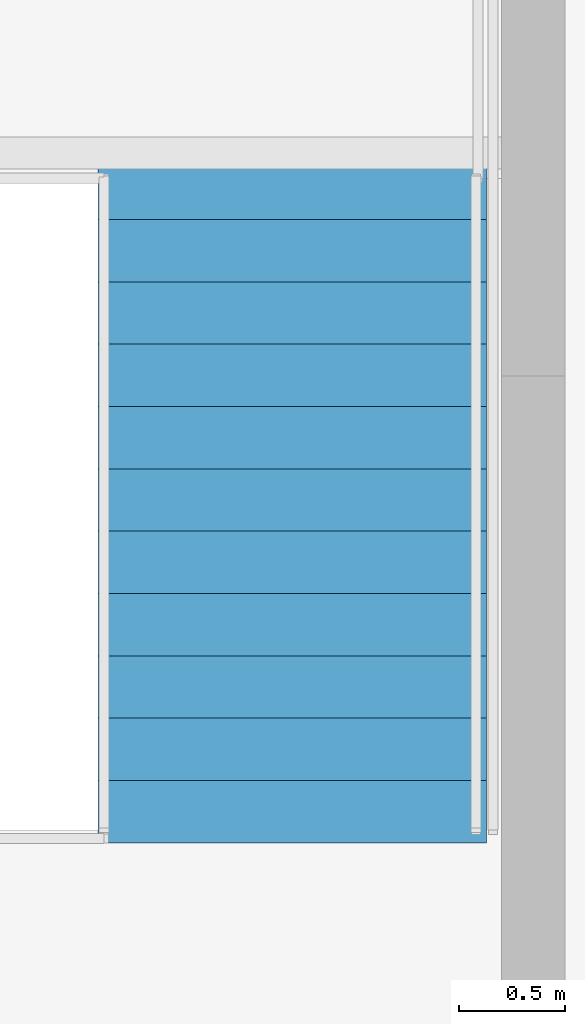
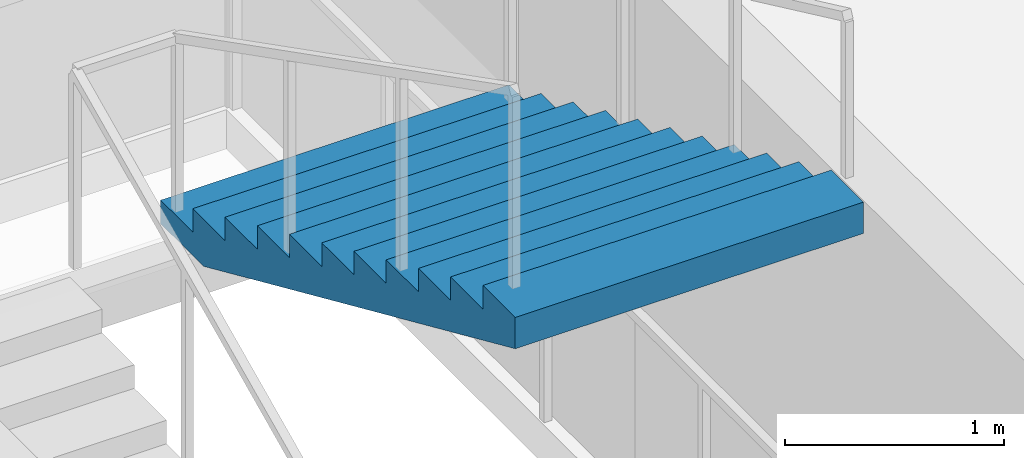
# One storey, part 44 of 47: 1 stair flight, 1 element without a shape of its own.
"""IFC4 building model written with IfcOpenShell, lengths in metres."""

from ifc_helpers import new_model, si_unit, direction, frame, origin, place, context, subcontext, project, spatial, polyline, outline, extrude, material, type_object, element, aggregate, save


model = new_model("IFC4")

# Units and contexts
model_context = context("Model", 3, precision=1e-05, world=origin(), true_north=direction((0.0, 1.0)))
body_context = subcontext(model_context, "Body", "Model", "MODEL_VIEW")
ifc_project = project(units=[si_unit("LENGTHUNIT", "METRE"), si_unit("AREAUNIT", "SQUARE_METRE"), si_unit("VOLUMEUNIT", "CUBIC_METRE"), si_unit("PLANEANGLEUNIT", "RADIAN"), si_unit("MASSUNIT", "GRAM", prefix="KILO")], contexts=[model_context])

# Site, building, storey
site_placement = place(None, origin())
site = spatial("IfcSite", under=ifc_project, at=site_placement, CompositionType="ELEMENT")
building_placement = place(site_placement, origin())
building = spatial("IfcBuilding", under=site, at=building_placement, Name="Taldren Reach Tower", CompositionType="ELEMENT")
storey_placement = place(building_placement, frame((0.0, 0.0, 139.300048828125)))
storey = spatial("IfcBuildingStorey", under=building, at=storey_placement, Name="L42", CompositionType="ELEMENT", Elevation=139.300048828125)

# Stair, stair flight
ifc_material = material(Name="Concrete S50 (50 MPa)", Category="concrete")
stair_type = type_object("IfcStairType", Name="ST-HT-315", PredefinedType="HALF_TURN_STAIR", material=ifc_material)
stair_placement = place(storey_placement, origin())
stair = element("IfcStair", 1, at=stair_placement, inside=storey, type_object=stair_type, Name="Fire-isolated exit stair ST2 L42", PredefinedType="HALF_TURN_STAIR")
stair_flight_type = type_object("IfcStairFlightType", Name="SF-STR-315", PredefinedType="STRAIGHT", material=ifc_material)
stair_flight_placement = place(storey_placement, frame((49.860107421875, 29.235107421875, 1.574951171875), z_axis=(0.0, 0.0, 1.0), x_axis=(0.0, -1.0, 0.0)))
stair_flight = element("IfcStairFlight", 2, at=stair_flight_placement, type_object=stair_flight_type, Name="ST2 flight 2", NumberOfRisers=12, NumberOfTreads=11, PredefinedType="STRAIGHT", RiserHeight=0.13125, TreadLength=0.295, context=body_context, shape_type="SweptSolid", body=[
    extrude(outline(polyline([(0.0, 0.0), (0.0, 0.13134765625), (0.294921875, 0.13134765625), (0.294921875, 0.262451171875), (0.590087890625, 0.262451171875), (0.590087890625, 0.393798828125), (0.885009765625, 0.393798828125), (0.885009765625, 0.52490234375), (1.179931640625, 0.52490234375), (1.179931640625, 0.65625), (1.47509765625, 0.65625), (1.47509765625, 0.78759765625), (1.77001953125, 0.78759765625), (1.77001953125, 0.918701171875), (2.06494140625, 0.918701171875), (2.06494140625, 1.050048828125), (2.360107421875, 1.050048828125), (2.360107421875, 1.18115234375), (2.655029296875, 1.18115234375), (2.655029296875, 1.3125), (2.949951171875, 1.3125), (2.949951171875, 1.44384765625), (3.2451171875, 1.44384765625), (3.2451171875, 1.574951171875), (3.2451171875, 1.268798828125), (0.393310546875, 0.0), (0.0, 0.0)])), frame((0.0, 0.919921875, 0.0), z_axis=(0.0, -1.0, 0.0), x_axis=(1.0, 0.0, 0.0)), (0.0, 0.0, 1.0), 1.840087890625),
])
aggregate(stair, [stair_flight])

save(model, "model.ifc")
